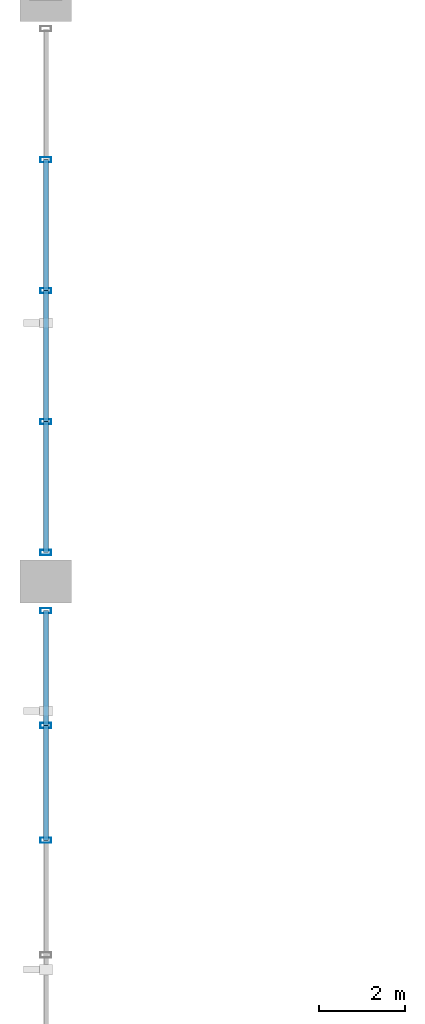
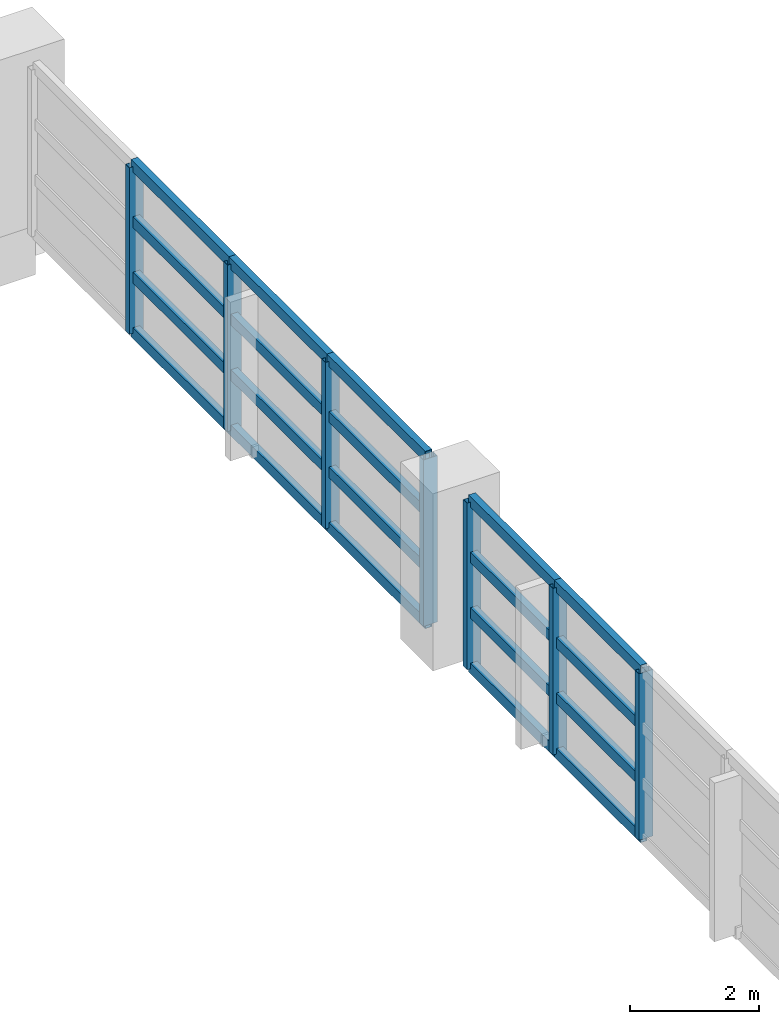
# One storey, part 29 of 116: 27 members, 2 elements without a shape of their own.
"""IFC4 building model written with IfcOpenShell, lengths in metres."""

from ifc_helpers import new_model, si_unit, direction, frame, origin, origin_2d, place, context, subcontext, project, spatial, hollow_rectangle, extrude, material, material_profile, profile_set, type_object, element, aggregate, save


model = new_model("IFC4")

# Units and contexts
model_context = context("Model", 3, precision=1e-05, world=origin(), true_north=direction((0.0, 1.0)))
body_context = subcontext(model_context, "Body", "Model", "MODEL_VIEW")
ifc_project = project(units=[si_unit("LENGTHUNIT", "METRE"), si_unit("AREAUNIT", "SQUARE_METRE"), si_unit("VOLUMEUNIT", "CUBIC_METRE"), si_unit("PLANEANGLEUNIT", "RADIAN"), si_unit("MASSUNIT", "GRAM", prefix="KILO")], contexts=[model_context])

# Site, building, storey
site_placement = place(None, origin())
site = spatial("IfcSite", under=ifc_project, at=site_placement, CompositionType="ELEMENT")
building_placement = place(site_placement, origin())
building = spatial("IfcBuilding", under=site, at=building_placement, Name="Chuanluo Vaults Station", CompositionType="ELEMENT")
storey_placement = place(building_placement, frame((0.0, 0.0, 10.800048828125)))
storey = spatial("IfcBuildingStorey", under=building, at=storey_placement, Name="L02", CompositionType="ELEMENT", Elevation=10.800048828125)

# Curtain wall, members
ifc_material_1 = material(Name="Anodised aluminium 6063-T6", Category="aluminium")
curtain_wall_type_1 = type_object("IfcCurtainWallType", Name="CW-SYS-07", PredefinedType="NOTDEFINED", material=ifc_material_1)
curtain_wall_1_placement = place(storey_placement, origin())
curtain_wall_1 = element("IfcCurtainWall", 1, at=curtain_wall_1_placement, inside=storey, type_object=curtain_wall_type_1, Name="Train shed west clerestory CW 42", PredefinedType="NOTDEFINED")
ifc_material_2 = material(Name="Anodised aluminium 6063-T6", Category="aluminium")
ifc_material_profile_1 = material_profile(ifc_material_2, hollow_rectangle(XDim=0.1201171875, YDim=0.25, WallThickness=0.006103515625, at=origin_2d()))
ifc_profile_set_1 = profile_set([ifc_material_profile_1], Name="Anodised aluminium 6063-T6")
member_type_1 = type_object("IfcMemberType", Name="CWM-160", PredefinedType="MULLION", material=ifc_profile_set_1)
member_1_placement = place(storey_placement, frame((0.0, 48.0, 0.0), z_axis=(0.0, 0.0, 1.0), x_axis=(0.0, 1.0, 0.0)))
member_1 = element("IfcMember", 2, at=member_1_placement, type_object=member_type_1, Name="Train shed west clerestory CW 42 mullion 3", PredefinedType="MULLION", context=body_context, shape_type="SweptSolid", body=[
    extrude(hollow_rectangle(XDim=0.1201171875, YDim=0.25, WallThickness=0.006103515625, at=origin_2d()), origin(), (0.0, 0.0, 1.0), 3.14990234375),
])
member_2_placement = place(storey_placement, frame((0.0, 50.66259765625, 0.0), z_axis=(0.0, 0.0, 1.0), x_axis=(0.0, 1.0, 0.0)))
member_2 = element("IfcMember", 3, at=member_2_placement, type_object=member_type_1, Name="Train shed west clerestory CW 42 mullion 4", PredefinedType="MULLION", context=body_context, shape_type="SweptSolid", body=[
    extrude(hollow_rectangle(XDim=0.1201171875, YDim=0.25, WallThickness=0.006103515625, at=origin_2d()), origin(), (0.0, 0.0, 1.0), 3.14990234375),
])
member_3_placement = place(storey_placement, frame((0.0, 53.324951171875, 0.0), z_axis=(0.0, 0.0, 1.0), x_axis=(0.0, 1.0, 0.0)))
member_3 = element("IfcMember", 4, at=member_3_placement, type_object=member_type_1, Name="Train shed west clerestory CW 42 mullion 5", PredefinedType="MULLION", context=body_context, shape_type="SweptSolid", body=[
    extrude(hollow_rectangle(XDim=0.1201171875, YDim=0.25, WallThickness=0.006103515625, at=origin_2d()), origin(), (0.0, 0.0, 1.0), 3.14990234375),
])

ifc_material_3 = material(Name="Anodised aluminium 6063-T6", Category="aluminium")
curtain_wall_type_2 = type_object("IfcCurtainWallType", Name="CW-SYS-11", PredefinedType="NOTDEFINED", material=ifc_material_3)
curtain_wall_2_placement = place(storey_placement, origin())
curtain_wall_2 = element("IfcCurtainWall", 5, at=curtain_wall_2_placement, inside=storey, type_object=curtain_wall_type_2, Name="Train shed west clerestory CW 54", PredefinedType="NOTDEFINED")
member_4_placement = place(storey_placement, frame((0.0, 54.675048828125, 0.0), z_axis=(0.0, 0.0, 1.0), x_axis=(0.0, 1.0, 0.0)))
member_4 = element("IfcMember", 6, at=member_4_placement, type_object=member_type_1, Name="Train shed west clerestory CW 54 mullion 1", PredefinedType="MULLION", context=body_context, shape_type="SweptSolid", body=[
    extrude(hollow_rectangle(XDim=0.1201171875, YDim=0.25, WallThickness=0.006103515625, at=origin_2d()), origin(), (0.0, 0.0, 1.0), 3.14990234375),
])
member_5_placement = place(storey_placement, frame((0.0, 57.71240234375, 0.0), z_axis=(0.0, 0.0, 1.0), x_axis=(0.0, 1.0, 0.0)))
member_5 = element("IfcMember", 7, at=member_5_placement, type_object=member_type_1, Name="Train shed west clerestory CW 54 mullion 2", PredefinedType="MULLION", context=body_context, shape_type="SweptSolid", body=[
    extrude(hollow_rectangle(XDim=0.1201171875, YDim=0.25, WallThickness=0.006103515625, at=origin_2d()), origin(), (0.0, 0.0, 1.0), 3.14990234375),
])
member_6_placement = place(storey_placement, frame((0.0, 60.75, 0.0), z_axis=(0.0, 0.0, 1.0), x_axis=(0.0, 1.0, 0.0)))
member_6 = element("IfcMember", 8, at=member_6_placement, type_object=member_type_1, Name="Train shed west clerestory CW 54 mullion 3", PredefinedType="MULLION", context=body_context, shape_type="SweptSolid", body=[
    extrude(hollow_rectangle(XDim=0.1201171875, YDim=0.25, WallThickness=0.006103515625, at=origin_2d()), origin(), (0.0, 0.0, 1.0), 3.14990234375),
])
member_7_placement = place(storey_placement, frame((0.0, 63.78759765625, 0.0), z_axis=(0.0, 0.0, 1.0), x_axis=(0.0, 1.0, 0.0)))
member_7 = element("IfcMember", 9, at=member_7_placement, type_object=member_type_1, Name="Train shed west clerestory CW 54 mullion 4", PredefinedType="MULLION", context=body_context, shape_type="SweptSolid", body=[
    extrude(hollow_rectangle(XDim=0.1201171875, YDim=0.25, WallThickness=0.006103515625, at=origin_2d()), origin(), (0.0, 0.0, 1.0), 3.14990234375),
])

# Member
ifc_material_4 = material(Name="Anodised aluminium 6063-T6", Category="aluminium")
ifc_material_profile_2 = material_profile(ifc_material_4, hollow_rectangle(XDim=0.1201171875, YDim=0.205078125, WallThickness=0.006103515625, at=origin_2d()))
ifc_profile_set_2 = profile_set([ifc_material_profile_2], Name="Anodised aluminium 6063-T6")
member_type_2 = type_object("IfcMemberType", Name="CWT-130", PredefinedType="USERDEFINED", material=ifc_profile_set_2)
member_8_placement = place(storey_placement, frame((0.0, 48.0, 0.0), z_axis=(0.0, 1.0, 0.0), x_axis=(-1.0, 0.0, 0.0)))
member_8 = element("IfcMember", 10, at=member_8_placement, type_object=member_type_2, Name="Train shed west clerestory CW 42 transom 3.1", ObjectType="TRANSOM", PredefinedType="USERDEFINED", context=body_context, shape_type="SweptSolid", body=[
    extrude(hollow_rectangle(XDim=0.1201171875, YDim=0.205078125, WallThickness=0.006103515625, at=origin_2d()), origin(), (0.0, 0.0, 1.0), 2.66259765625),
])

member_9_placement = place(storey_placement, frame((0.0, 48.0, 1.050048828125), z_axis=(0.0, 1.0, 0.0), x_axis=(-1.0, 0.0, 0.0)))
member_9 = element("IfcMember", 11, at=member_9_placement, type_object=member_type_2, Name="Train shed west clerestory CW 42 transom 3.2", ObjectType="TRANSOM", PredefinedType="USERDEFINED", context=body_context, shape_type="SweptSolid", body=[
    extrude(hollow_rectangle(XDim=0.1201171875, YDim=0.205078125, WallThickness=0.006103515625, at=origin_2d()), origin(), (0.0, 0.0, 1.0), 2.66259765625),
])

member_10_placement = place(storey_placement, frame((0.0, 48.0, 2.099853515625), z_axis=(0.0, 1.0, 0.0), x_axis=(-1.0, 0.0, 0.0)))
member_10 = element("IfcMember", 12, at=member_10_placement, type_object=member_type_2, Name="Train shed west clerestory CW 42 transom 3.3", ObjectType="TRANSOM", PredefinedType="USERDEFINED", context=body_context, shape_type="SweptSolid", body=[
    extrude(hollow_rectangle(XDim=0.1201171875, YDim=0.205078125, WallThickness=0.006103515625, at=origin_2d()), origin(), (0.0, 0.0, 1.0), 2.66259765625),
])

member_11_placement = place(storey_placement, frame((0.0, 48.0, 3.14990234375), z_axis=(0.0, 1.0, 0.0), x_axis=(-1.0, 0.0, 0.0)))
member_11 = element("IfcMember", 13, at=member_11_placement, type_object=member_type_2, Name="Train shed west clerestory CW 42 transom 3.4", ObjectType="TRANSOM", PredefinedType="USERDEFINED", context=body_context, shape_type="SweptSolid", body=[
    extrude(hollow_rectangle(XDim=0.1201171875, YDim=0.205078125, WallThickness=0.006103515625, at=origin_2d()), origin(), (0.0, 0.0, 1.0), 2.66259765625),
])

member_12_placement = place(storey_placement, frame((0.0, 50.66259765625, 0.0), z_axis=(0.0, 1.0, 0.0), x_axis=(-1.0, 0.0, 0.0)))
member_12 = element("IfcMember", 14, at=member_12_placement, type_object=member_type_2, Name="Train shed west clerestory CW 42 transom 4.1", ObjectType="TRANSOM", PredefinedType="USERDEFINED", context=body_context, shape_type="SweptSolid", body=[
    extrude(hollow_rectangle(XDim=0.1201171875, YDim=0.205078125, WallThickness=0.006103515625, at=origin_2d()), origin(), (0.0, 0.0, 1.0), 2.662353515625),
])

member_13_placement = place(storey_placement, frame((0.0, 50.66259765625, 1.050048828125), z_axis=(0.0, 1.0, 0.0), x_axis=(-1.0, 0.0, 0.0)))
member_13 = element("IfcMember", 15, at=member_13_placement, type_object=member_type_2, Name="Train shed west clerestory CW 42 transom 4.2", ObjectType="TRANSOM", PredefinedType="USERDEFINED", context=body_context, shape_type="SweptSolid", body=[
    extrude(hollow_rectangle(XDim=0.1201171875, YDim=0.205078125, WallThickness=0.006103515625, at=origin_2d()), origin(), (0.0, 0.0, 1.0), 2.662353515625),
])

member_14_placement = place(storey_placement, frame((0.0, 50.66259765625, 2.099853515625), z_axis=(0.0, 1.0, 0.0), x_axis=(-1.0, 0.0, 0.0)))
member_14 = element("IfcMember", 16, at=member_14_placement, type_object=member_type_2, Name="Train shed west clerestory CW 42 transom 4.3", ObjectType="TRANSOM", PredefinedType="USERDEFINED", context=body_context, shape_type="SweptSolid", body=[
    extrude(hollow_rectangle(XDim=0.1201171875, YDim=0.205078125, WallThickness=0.006103515625, at=origin_2d()), origin(), (0.0, 0.0, 1.0), 2.662353515625),
])

member_15_placement = place(storey_placement, frame((0.0, 50.66259765625, 3.14990234375), z_axis=(0.0, 1.0, 0.0), x_axis=(-1.0, 0.0, 0.0)))
member_15 = element("IfcMember", 17, at=member_15_placement, type_object=member_type_2, Name="Train shed west clerestory CW 42 transom 4.4", ObjectType="TRANSOM", PredefinedType="USERDEFINED", context=body_context, shape_type="SweptSolid", body=[
    extrude(hollow_rectangle(XDim=0.1201171875, YDim=0.205078125, WallThickness=0.006103515625, at=origin_2d()), origin(), (0.0, 0.0, 1.0), 2.662353515625),
])

aggregate(curtain_wall_1, [member_1, member_2, member_3, member_8, member_9, member_10, member_11, member_12, member_13, member_14, member_15])

member_16_placement = place(storey_placement, frame((0.0, 54.675048828125, 0.0), z_axis=(0.0, 1.0, 0.0), x_axis=(-1.0, 0.0, 0.0)))
member_16 = element("IfcMember", 18, at=member_16_placement, type_object=member_type_2, Name="Train shed west clerestory CW 54 transom 1.1", ObjectType="TRANSOM", PredefinedType="USERDEFINED", context=body_context, shape_type="SweptSolid", body=[
    extrude(hollow_rectangle(XDim=0.1201171875, YDim=0.205078125, WallThickness=0.006103515625, at=origin_2d()), origin(), (0.0, 0.0, 1.0), 3.037353515625),
])

member_17_placement = place(storey_placement, frame((0.0, 54.675048828125, 1.050048828125), z_axis=(0.0, 1.0, 0.0), x_axis=(-1.0, 0.0, 0.0)))
member_17 = element("IfcMember", 19, at=member_17_placement, type_object=member_type_2, Name="Train shed west clerestory CW 54 transom 1.2", ObjectType="TRANSOM", PredefinedType="USERDEFINED", context=body_context, shape_type="SweptSolid", body=[
    extrude(hollow_rectangle(XDim=0.1201171875, YDim=0.205078125, WallThickness=0.006103515625, at=origin_2d()), origin(), (0.0, 0.0, 1.0), 3.037353515625),
])

member_18_placement = place(storey_placement, frame((0.0, 54.675048828125, 2.099853515625), z_axis=(0.0, 1.0, 0.0), x_axis=(-1.0, 0.0, 0.0)))
member_18 = element("IfcMember", 20, at=member_18_placement, type_object=member_type_2, Name="Train shed west clerestory CW 54 transom 1.3", ObjectType="TRANSOM", PredefinedType="USERDEFINED", context=body_context, shape_type="SweptSolid", body=[
    extrude(hollow_rectangle(XDim=0.1201171875, YDim=0.205078125, WallThickness=0.006103515625, at=origin_2d()), origin(), (0.0, 0.0, 1.0), 3.037353515625),
])

member_19_placement = place(storey_placement, frame((0.0, 54.675048828125, 3.14990234375), z_axis=(0.0, 1.0, 0.0), x_axis=(-1.0, 0.0, 0.0)))
member_19 = element("IfcMember", 21, at=member_19_placement, type_object=member_type_2, Name="Train shed west clerestory CW 54 transom 1.4", ObjectType="TRANSOM", PredefinedType="USERDEFINED", context=body_context, shape_type="SweptSolid", body=[
    extrude(hollow_rectangle(XDim=0.1201171875, YDim=0.205078125, WallThickness=0.006103515625, at=origin_2d()), origin(), (0.0, 0.0, 1.0), 3.037353515625),
])

member_20_placement = place(storey_placement, frame((0.0, 57.71240234375, 0.0), z_axis=(0.0, 1.0, 0.0), x_axis=(-1.0, 0.0, 0.0)))
member_20 = element("IfcMember", 22, at=member_20_placement, type_object=member_type_2, Name="Train shed west clerestory CW 54 transom 2.1", ObjectType="TRANSOM", PredefinedType="USERDEFINED", context=body_context, shape_type="SweptSolid", body=[
    extrude(hollow_rectangle(XDim=0.1201171875, YDim=0.205078125, WallThickness=0.006103515625, at=origin_2d()), origin(), (0.0, 0.0, 1.0), 3.03759765625),
])

member_21_placement = place(storey_placement, frame((0.0, 57.71240234375, 1.050048828125), z_axis=(0.0, 1.0, 0.0), x_axis=(-1.0, 0.0, 0.0)))
member_21 = element("IfcMember", 23, at=member_21_placement, type_object=member_type_2, Name="Train shed west clerestory CW 54 transom 2.2", ObjectType="TRANSOM", PredefinedType="USERDEFINED", context=body_context, shape_type="SweptSolid", body=[
    extrude(hollow_rectangle(XDim=0.1201171875, YDim=0.205078125, WallThickness=0.006103515625, at=origin_2d()), origin(), (0.0, 0.0, 1.0), 3.03759765625),
])

member_22_placement = place(storey_placement, frame((0.0, 57.71240234375, 2.099853515625), z_axis=(0.0, 1.0, 0.0), x_axis=(-1.0, 0.0, 0.0)))
member_22 = element("IfcMember", 24, at=member_22_placement, type_object=member_type_2, Name="Train shed west clerestory CW 54 transom 2.3", ObjectType="TRANSOM", PredefinedType="USERDEFINED", context=body_context, shape_type="SweptSolid", body=[
    extrude(hollow_rectangle(XDim=0.1201171875, YDim=0.205078125, WallThickness=0.006103515625, at=origin_2d()), origin(), (0.0, 0.0, 1.0), 3.03759765625),
])

member_23_placement = place(storey_placement, frame((0.0, 57.71240234375, 3.14990234375), z_axis=(0.0, 1.0, 0.0), x_axis=(-1.0, 0.0, 0.0)))
member_23 = element("IfcMember", 25, at=member_23_placement, type_object=member_type_2, Name="Train shed west clerestory CW 54 transom 2.4", ObjectType="TRANSOM", PredefinedType="USERDEFINED", context=body_context, shape_type="SweptSolid", body=[
    extrude(hollow_rectangle(XDim=0.1201171875, YDim=0.205078125, WallThickness=0.006103515625, at=origin_2d()), origin(), (0.0, 0.0, 1.0), 3.03759765625),
])

member_24_placement = place(storey_placement, frame((0.0, 60.75, 0.0), z_axis=(0.0, 1.0, 0.0), x_axis=(-1.0, 0.0, 0.0)))
member_24 = element("IfcMember", 26, at=member_24_placement, type_object=member_type_2, Name="Train shed west clerestory CW 54 transom 3.1", ObjectType="TRANSOM", PredefinedType="USERDEFINED", context=body_context, shape_type="SweptSolid", body=[
    extrude(hollow_rectangle(XDim=0.1201171875, YDim=0.205078125, WallThickness=0.006103515625, at=origin_2d()), origin(), (0.0, 0.0, 1.0), 3.03759765625),
])

member_25_placement = place(storey_placement, frame((0.0, 60.75, 1.050048828125), z_axis=(0.0, 1.0, 0.0), x_axis=(-1.0, 0.0, 0.0)))
member_25 = element("IfcMember", 27, at=member_25_placement, type_object=member_type_2, Name="Train shed west clerestory CW 54 transom 3.2", ObjectType="TRANSOM", PredefinedType="USERDEFINED", context=body_context, shape_type="SweptSolid", body=[
    extrude(hollow_rectangle(XDim=0.1201171875, YDim=0.205078125, WallThickness=0.006103515625, at=origin_2d()), origin(), (0.0, 0.0, 1.0), 3.03759765625),
])

member_26_placement = place(storey_placement, frame((0.0, 60.75, 2.099853515625), z_axis=(0.0, 1.0, 0.0), x_axis=(-1.0, 0.0, 0.0)))
member_26 = element("IfcMember", 28, at=member_26_placement, type_object=member_type_2, Name="Train shed west clerestory CW 54 transom 3.3", ObjectType="TRANSOM", PredefinedType="USERDEFINED", context=body_context, shape_type="SweptSolid", body=[
    extrude(hollow_rectangle(XDim=0.1201171875, YDim=0.205078125, WallThickness=0.006103515625, at=origin_2d()), origin(), (0.0, 0.0, 1.0), 3.03759765625),
])

member_27_placement = place(storey_placement, frame((0.0, 60.75, 3.14990234375), z_axis=(0.0, 1.0, 0.0), x_axis=(-1.0, 0.0, 0.0)))
member_27 = element("IfcMember", 29, at=member_27_placement, type_object=member_type_2, Name="Train shed west clerestory CW 54 transom 3.4", ObjectType="TRANSOM", PredefinedType="USERDEFINED", context=body_context, shape_type="SweptSolid", body=[
    extrude(hollow_rectangle(XDim=0.1201171875, YDim=0.205078125, WallThickness=0.006103515625, at=origin_2d()), origin(), (0.0, 0.0, 1.0), 3.03759765625),
])

aggregate(curtain_wall_2, [member_4, member_5, member_6, member_7, member_16, member_17, member_18, member_19, member_20, member_21, member_22, member_23, member_24, member_25, member_26, member_27])

save(model, "model.ifc")
